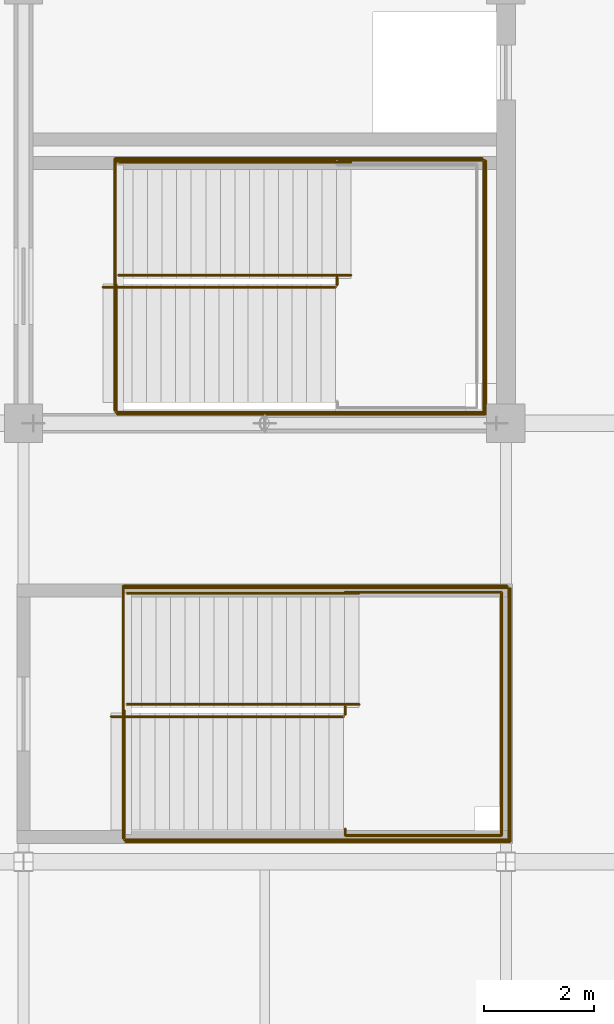
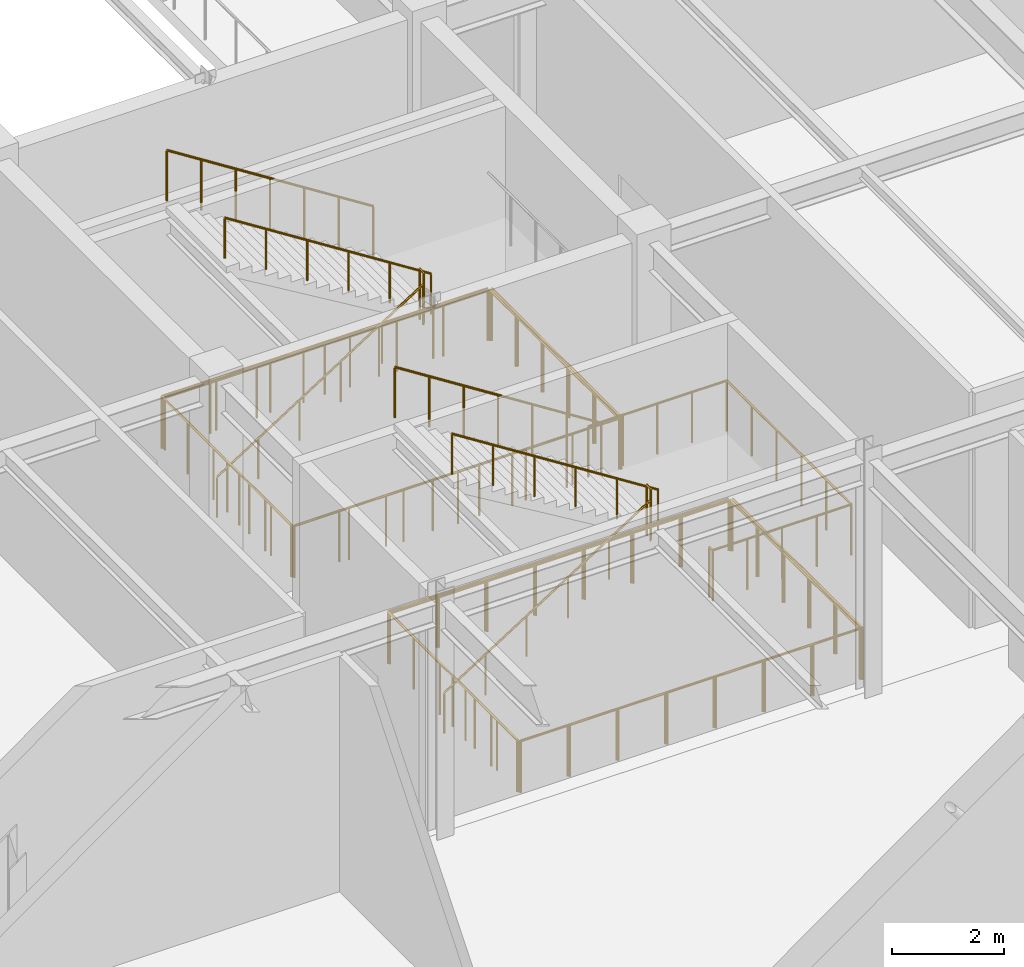
# One storey, part 177 of 184: 15 railings.
"""IFC4 building model written with IfcOpenShell, lengths in metres."""

from ifc_helpers import new_model, si_unit, direction, frame, origin, origin_2d, place, context, subcontext, project, spatial, circle, extrude, material, type_object, element, save


model = new_model("IFC4")

# Units and contexts
model_context = context("Model", 3, precision=1e-05, world=origin(), true_north=direction((0.0, 1.0)))
body_context = subcontext(model_context, "Body", "Model", "MODEL_VIEW")
ifc_project = project(units=[si_unit("LENGTHUNIT", "METRE"), si_unit("AREAUNIT", "SQUARE_METRE"), si_unit("VOLUMEUNIT", "CUBIC_METRE"), si_unit("PLANEANGLEUNIT", "RADIAN"), si_unit("MASSUNIT", "GRAM", prefix="KILO")], contexts=[model_context])

# Site, building, storey
site_placement = place(None, origin())
site = spatial("IfcSite", under=ifc_project, at=site_placement, CompositionType="ELEMENT")
building_placement = place(site_placement, origin())
building = spatial("IfcBuilding", under=site, at=building_placement, Name="Zhaolan Boulevard Law Courts", CompositionType="ELEMENT")
storey_placement = place(building_placement, frame((0.0, 0.0, 5.39990234375)))
storey = spatial("IfcBuildingStorey", under=building, at=storey_placement, Name="L01", CompositionType="ELEMENT", Elevation=5.39990234375)

# Railings
ifc_material_1 = material(Name="Powder-coated steel and tempered laminated glass", Category="steel")
railing_type_1 = type_object("IfcRailingType", Name="INTERIOR GUARDRAIL 1150", PredefinedType="GUARDRAIL", material=ifc_material_1)
railing_1_placement = place(storey_placement, frame((19.31005859375, 86.169921875, 0.0)))
element("IfcRailing", 1, at=railing_1_placement, inside=storey, type_object=railing_type_1, Name="Atrium Gallery Guardrail VG-1-V3-2A", PredefinedType="GUARDRAIL", context=body_context, shape_type="SweptSolid", body=[
    extrude(circle(Radius=0.02490234375, at=origin_2d()), frame((0.0, 0.0, 1.125), z_axis=(1.0, 0.0, 0.0), x_axis=(0.0, 1.0, 0.0)), (0.0, 0.0, 1.0), 6.719970703125),
    extrude(circle(Radius=0.02490234375, at=origin_2d()), frame((6.719970703125, 0.0, 1.125), z_axis=(0.0, 1.0, 0.0), x_axis=(-1.0, 0.0, 0.0)), (0.0, 0.0, 1.0), 4.6201171875),
    extrude(circle(Radius=0.02099609375, at=origin_2d()), origin(), (0.0, 0.0, 1.0), 1.099853515625),
    extrude(circle(Radius=0.02099609375, at=origin_2d()), frame((1.1201171875, 0.0, 0.0)), (0.0, 0.0, 1.0), 1.099853515625),
    extrude(circle(Radius=0.02099609375, at=origin_2d()), frame((2.239990234375, 0.0, 0.0)), (0.0, 0.0, 1.0), 1.099853515625),
    extrude(circle(Radius=0.02099609375, at=origin_2d()), frame((3.35986328125, 0.0, 0.0)), (0.0, 0.0, 1.0), 1.099853515625),
    extrude(circle(Radius=0.02099609375, at=origin_2d()), frame((4.47998046875, 0.0, 0.0)), (0.0, 0.0, 1.0), 1.099853515625),
    extrude(circle(Radius=0.02099609375, at=origin_2d()), frame((5.60009765625, 0.0, 0.0)), (0.0, 0.0, 1.0), 1.099853515625),
    extrude(circle(Radius=0.02099609375, at=origin_2d()), frame((6.719970703125, 0.0, 0.0)), (0.0, 0.0, 1.0), 1.099853515625),
    extrude(circle(Radius=0.02099609375, at=origin_2d()), frame((6.719970703125, 0.924072265625, 0.0)), (0.0, 0.0, 1.0), 1.099853515625),
    extrude(circle(Radius=0.02099609375, at=origin_2d()), frame((6.719970703125, 1.84814453125, 0.0)), (0.0, 0.0, 1.0), 1.099853515625),
    extrude(circle(Radius=0.02099609375, at=origin_2d()), frame((6.719970703125, 2.77197265625, 0.0)), (0.0, 0.0, 1.0), 1.099853515625),
    extrude(circle(Radius=0.02099609375, at=origin_2d()), frame((6.719970703125, 3.696044921875, 0.0)), (0.0, 0.0, 1.0), 1.099853515625),
    extrude(circle(Radius=0.02099609375, at=origin_2d()), frame((6.719970703125, 4.6201171875, 0.0)), (0.0, 0.0, 1.0), 1.099853515625),
])
railing_2_placement = place(storey_placement, frame((25.969970703125, 90.830078125, 0.0)))
element("IfcRailing", 2, at=railing_2_placement, inside=storey, type_object=railing_type_1, Name="Atrium Gallery Guardrail VG-1-V3-2B", PredefinedType="GUARDRAIL", context=body_context, shape_type="SweptSolid", body=[
    extrude(circle(Radius=0.02490234375, at=origin_2d()), frame((0.0, 0.0, 1.125), z_axis=(-1.0, 0.0, 0.0), x_axis=(0.0, -1.0, 0.0)), (0.0, 0.0, 1.0), 6.699951171875),
    extrude(circle(Radius=0.02490234375, at=origin_2d()), frame((-6.699951171875, 0.0, 1.125), z_axis=(0.0, -1.0, 0.0), x_axis=(1.0, 0.0, 0.0)), (0.0, 0.0, 1.0), 4.60009765625),
    extrude(circle(Radius=0.02099609375, at=origin_2d()), origin(), (0.0, 0.0, 1.0), 1.099853515625),
    extrude(circle(Radius=0.02099609375, at=origin_2d()), frame((-1.11669921875, 0.0, 0.0)), (0.0, 0.0, 1.0), 1.099853515625),
    extrude(circle(Radius=0.02099609375, at=origin_2d()), frame((-2.2333984375, 0.0, 0.0)), (0.0, 0.0, 1.0), 1.099853515625),
    extrude(circle(Radius=0.02099609375, at=origin_2d()), frame((-3.35009765625, 0.0, 0.0)), (0.0, 0.0, 1.0), 1.099853515625),
    extrude(circle(Radius=0.02099609375, at=origin_2d()), frame((-4.466552734375, 0.0, 0.0)), (0.0, 0.0, 1.0), 1.099853515625),
    extrude(circle(Radius=0.02099609375, at=origin_2d()), frame((-5.583251953125, 0.0, 0.0)), (0.0, 0.0, 1.0), 1.099853515625),
    extrude(circle(Radius=0.02099609375, at=origin_2d()), frame((-6.699951171875, 0.0, 0.0)), (0.0, 0.0, 1.0), 1.099853515625),
    extrude(circle(Radius=0.02099609375, at=origin_2d()), frame((-6.699951171875, -0.919921875, 0.0)), (0.0, 0.0, 1.0), 1.099853515625),
    extrude(circle(Radius=0.02099609375, at=origin_2d()), frame((-6.699951171875, -1.840087890625, 0.0)), (0.0, 0.0, 1.0), 1.099853515625),
    extrude(circle(Radius=0.02099609375, at=origin_2d()), frame((-6.699951171875, -2.760009765625, 0.0)), (0.0, 0.0, 1.0), 1.099853515625),
    extrude(circle(Radius=0.02099609375, at=origin_2d()), frame((-6.699951171875, -3.68017578125, 0.0)), (0.0, 0.0, 1.0), 1.099853515625),
    extrude(circle(Radius=0.02099609375, at=origin_2d()), frame((-6.699951171875, -4.60009765625, 0.0)), (0.0, 0.0, 1.0), 1.099853515625),
])
railing_3_placement = place(storey_placement, frame((19.4599609375, 78.3701171875, 0.0)))
element("IfcRailing", 3, at=railing_3_placement, inside=storey, type_object=railing_type_1, Name="Atrium Gallery Guardrail VG-1-V3-3A", PredefinedType="GUARDRAIL", context=body_context, shape_type="SweptSolid", body=[
    extrude(circle(Radius=0.02490234375, at=origin_2d()), frame((0.0, 0.0, 1.125), z_axis=(1.0, 0.0, 0.0), x_axis=(0.0, 1.0, 0.0)), (0.0, 0.0, 1.0), 7.02001953125),
    extrude(circle(Radius=0.02490234375, at=origin_2d()), frame((7.02001953125, 0.0, 1.125), z_axis=(0.0, 1.0, 0.0), x_axis=(-1.0, 0.0, 0.0)), (0.0, 0.0, 1.0), 4.619873046875),
    extrude(circle(Radius=0.02099609375, at=origin_2d()), origin(), (0.0, 0.0, 1.0), 1.099853515625),
    extrude(circle(Radius=0.02099609375, at=origin_2d()), frame((1.0029296875, 0.0, 0.0)), (0.0, 0.0, 1.0), 1.099853515625),
    extrude(circle(Radius=0.02099609375, at=origin_2d()), frame((2.005615234375, 0.0, 0.0)), (0.0, 0.0, 1.0), 1.099853515625),
    extrude(circle(Radius=0.02099609375, at=origin_2d()), frame((3.008544921875, 0.0, 0.0)), (0.0, 0.0, 1.0), 1.099853515625),
    extrude(circle(Radius=0.02099609375, at=origin_2d()), frame((4.011474609375, 0.0, 0.0)), (0.0, 0.0, 1.0), 1.099853515625),
    extrude(circle(Radius=0.02099609375, at=origin_2d()), frame((5.014404296875, 0.0, 0.0)), (0.0, 0.0, 1.0), 1.099853515625),
    extrude(circle(Radius=0.02099609375, at=origin_2d()), frame((6.01708984375, 0.0, 0.0)), (0.0, 0.0, 1.0), 1.099853515625),
    extrude(circle(Radius=0.02099609375, at=origin_2d()), frame((7.02001953125, 0.0, 0.0)), (0.0, 0.0, 1.0), 1.099853515625),
    extrude(circle(Radius=0.02099609375, at=origin_2d()), frame((7.02001953125, 0.924072265625, 0.0)), (0.0, 0.0, 1.0), 1.099853515625),
    extrude(circle(Radius=0.02099609375, at=origin_2d()), frame((7.02001953125, 1.847900390625, 0.0)), (0.0, 0.0, 1.0), 1.099853515625),
    extrude(circle(Radius=0.02099609375, at=origin_2d()), frame((7.02001953125, 2.77197265625, 0.0)), (0.0, 0.0, 1.0), 1.099853515625),
    extrude(circle(Radius=0.02099609375, at=origin_2d()), frame((7.02001953125, 3.69580078125, 0.0)), (0.0, 0.0, 1.0), 1.099853515625),
    extrude(circle(Radius=0.02099609375, at=origin_2d()), frame((7.02001953125, 4.619873046875, 0.0)), (0.0, 0.0, 1.0), 1.099853515625),
])
railing_4_placement = place(storey_placement, frame((26.419921875, 83.030029296875, 0.0)))
element("IfcRailing", 4, at=railing_4_placement, inside=storey, type_object=railing_type_1, Name="Atrium Gallery Guardrail VG-1-V3-3B", PredefinedType="GUARDRAIL", context=body_context, shape_type="SweptSolid", body=[
    extrude(circle(Radius=0.02490234375, at=origin_2d()), frame((0.0, 0.0, 1.125), z_axis=(-1.0, 0.0, 0.0), x_axis=(0.0, -1.0, 0.0)), (0.0, 0.0, 1.0), 7.0),
    extrude(circle(Radius=0.02490234375, at=origin_2d()), frame((-7.0, 0.0, 1.125), z_axis=(0.0, -1.0, 0.0), x_axis=(1.0, 0.0, 0.0)), (0.0, 0.0, 1.0), 4.60009765625),
    extrude(circle(Radius=0.02099609375, at=origin_2d()), origin(), (0.0, 0.0, 1.0), 1.099853515625),
    extrude(circle(Radius=0.02099609375, at=origin_2d()), frame((-1.0, 0.0, 0.0)), (0.0, 0.0, 1.0), 1.099853515625),
    extrude(circle(Radius=0.02099609375, at=origin_2d()), frame((-2.0, 0.0, 0.0)), (0.0, 0.0, 1.0), 1.099853515625),
    extrude(circle(Radius=0.02099609375, at=origin_2d()), frame((-3.0, 0.0, 0.0)), (0.0, 0.0, 1.0), 1.099853515625),
    extrude(circle(Radius=0.02099609375, at=origin_2d()), frame((-4.0, 0.0, 0.0)), (0.0, 0.0, 1.0), 1.099853515625),
    extrude(circle(Radius=0.02099609375, at=origin_2d()), frame((-5.0, 0.0, 0.0)), (0.0, 0.0, 1.0), 1.099853515625),
    extrude(circle(Radius=0.02099609375, at=origin_2d()), frame((-6.0, 0.0, 0.0)), (0.0, 0.0, 1.0), 1.099853515625),
    extrude(circle(Radius=0.02099609375, at=origin_2d()), frame((-7.0, 0.0, 0.0)), (0.0, 0.0, 1.0), 1.099853515625),
    extrude(circle(Radius=0.02099609375, at=origin_2d()), frame((-7.0, -0.919921875, 0.0)), (0.0, 0.0, 1.0), 1.099853515625),
    extrude(circle(Radius=0.02099609375, at=origin_2d()), frame((-7.0, -1.840087890625, 0.0)), (0.0, 0.0, 1.0), 1.099853515625),
    extrude(circle(Radius=0.02099609375, at=origin_2d()), frame((-7.0, -2.760009765625, 0.0)), (0.0, 0.0, 1.0), 1.099853515625),
    extrude(circle(Radius=0.02099609375, at=origin_2d()), frame((-7.0, -3.68017578125, 0.0)), (0.0, 0.0, 1.0), 1.099853515625),
    extrude(circle(Radius=0.02099609375, at=origin_2d()), frame((-7.0, -4.60009765625, 0.0)), (0.0, 0.0, 1.0), 1.099853515625),
])
ifc_material_2 = material(Name="Brushed stainless steel tubular handrail", Category="steel")
railing_type_2 = type_object("IfcRailingType", Name="STAIR HANDRAIL 900", PredefinedType="HANDRAIL", material=ifc_material_2)
railing_5_placement = place(storey_placement, frame((19.050048828125, 88.47998046875, 0.0)))
element("IfcRailing", 5, at=railing_5_placement, inside=storey, type_object=railing_type_2, Name="Stair Handrail HR-ST10-L01-1", PredefinedType="HANDRAIL", context=body_context, shape_type="SweptSolid", body=[
    extrude(circle(Radius=0.0224609375, at=origin_2d()), frame((0.0, 0.0, 0.87744140625), z_axis=(0.843479452326, 0.0, 0.53716144082), x_axis=(0.0, 1.0, 0.0)), (0.0, 0.0, 1.0), 5.02685546875),
    extrude(circle(Radius=0.01904296875, at=origin_2d()), origin(), (0.0, 0.0, 1.0), 0.85498046875),
    extrude(circle(Radius=0.01904296875, at=origin_2d()), frame((0.847900390625, 0.0, 0.5400390625)), (0.0, 0.0, 1.0), 0.85498046875),
    extrude(circle(Radius=0.01904296875, at=origin_2d()), frame((1.696044921875, 0.0, 1.080078125)), (0.0, 0.0, 1.0), 0.85498046875),
    extrude(circle(Radius=0.01904296875, at=origin_2d()), frame((2.5439453125, 0.0, 1.6201171875)), (0.0, 0.0, 1.0), 0.85498046875),
    extrude(circle(Radius=0.01904296875, at=origin_2d()), frame((3.39208984375, 0.0, 2.16015625)), (0.0, 0.0, 1.0), 0.85498046875),
    extrude(circle(Radius=0.01904296875, at=origin_2d()), frame((4.239990234375, 0.0, 2.7001953125)), (0.0, 0.0, 1.0), 0.85498046875),
])
railing_6_placement = place(storey_placement, frame((23.574951171875, 88.699951171875, 2.7001953125)))
element("IfcRailing", 6, at=railing_6_placement, inside=storey, type_object=railing_type_2, Name="Stair Handrail HR-ST10-L01-2", PredefinedType="HANDRAIL", context=body_context, shape_type="SweptSolid", body=[
    extrude(circle(Radius=0.0224609375, at=origin_2d()), frame((0.0, 0.0, 0.87744140625), z_axis=(-0.843501457581, 0.0, 0.537126885437), x_axis=(0.0, -1.0, 0.0)), (0.0, 0.0, 1.0), 5.026611328125),
    extrude(circle(Radius=0.01904296875, at=origin_2d()), origin(), (0.0, 0.0, 1.0), 0.85498046875),
    extrude(circle(Radius=0.01904296875, at=origin_2d()), frame((-0.847900390625, 0.0, 0.5400390625)), (0.0, 0.0, 1.0), 0.85498046875),
    extrude(circle(Radius=0.01904296875, at=origin_2d()), frame((-1.696044921875, 0.0, 1.080078125)), (0.0, 0.0, 1.0), 0.85498046875),
    extrude(circle(Radius=0.01904296875, at=origin_2d()), frame((-2.5439453125, 0.0, 1.619873046875)), (0.0, 0.0, 1.0), 0.85498046875),
    extrude(circle(Radius=0.01904296875, at=origin_2d()), frame((-3.39208984375, 0.0, 2.159912109375)), (0.0, 0.0, 1.0), 0.85498046875),
    extrude(circle(Radius=0.01904296875, at=origin_2d()), frame((-4.239990234375, 0.0, 2.699951171875)), (0.0, 0.0, 1.0), 0.85498046875),
])
railing_7_placement = place(storey_placement, frame((19.199951171875, 80.64990234375, 0.0)))
element("IfcRailing", 7, at=railing_7_placement, inside=storey, type_object=railing_type_2, Name="Stair Handrail HR-ST12-L01-1", PredefinedType="HANDRAIL", context=body_context, shape_type="SweptSolid", body=[
    extrude(circle(Radius=0.0224609375, at=origin_2d()), frame((0.0, 0.0, 0.87744140625), z_axis=(0.843479452326, 0.0, 0.53716144082), x_axis=(0.0, 1.0, 0.0)), (0.0, 0.0, 1.0), 5.02685546875),
    extrude(circle(Radius=0.01904296875, at=origin_2d()), origin(), (0.0, 0.0, 1.0), 0.85498046875),
    extrude(circle(Radius=0.01904296875, at=origin_2d()), frame((0.847900390625, 0.0, 0.5400390625)), (0.0, 0.0, 1.0), 0.85498046875),
    extrude(circle(Radius=0.01904296875, at=origin_2d()), frame((1.696044921875, 0.0, 1.080078125)), (0.0, 0.0, 1.0), 0.85498046875),
    extrude(circle(Radius=0.01904296875, at=origin_2d()), frame((2.5439453125, 0.0, 1.6201171875)), (0.0, 0.0, 1.0), 0.85498046875),
    extrude(circle(Radius=0.01904296875, at=origin_2d()), frame((3.39208984375, 0.0, 2.16015625)), (0.0, 0.0, 1.0), 0.85498046875),
    extrude(circle(Radius=0.01904296875, at=origin_2d()), frame((4.239990234375, 0.0, 2.7001953125)), (0.0, 0.0, 1.0), 0.85498046875),
])
railing_8_placement = place(storey_placement, frame((23.72509765625, 80.8701171875, 2.7001953125)))
element("IfcRailing", 8, at=railing_8_placement, inside=storey, type_object=railing_type_2, Name="Stair Handrail HR-ST12-L01-2", PredefinedType="HANDRAIL", context=body_context, shape_type="SweptSolid", body=[
    extrude(circle(Radius=0.0224609375, at=origin_2d()), frame((0.0, 0.0, 0.87744140625), z_axis=(-0.843501457581, 0.0, 0.537126885437), x_axis=(0.0, -1.0, 0.0)), (0.0, 0.0, 1.0), 5.026611328125),
    extrude(circle(Radius=0.01904296875, at=origin_2d()), origin(), (0.0, 0.0, 1.0), 0.85498046875),
    extrude(circle(Radius=0.01904296875, at=origin_2d()), frame((-0.847900390625, 0.0, 0.5400390625)), (0.0, 0.0, 1.0), 0.85498046875),
    extrude(circle(Radius=0.01904296875, at=origin_2d()), frame((-1.696044921875, 0.0, 1.080078125)), (0.0, 0.0, 1.0), 0.85498046875),
    extrude(circle(Radius=0.01904296875, at=origin_2d()), frame((-2.5439453125, 0.0, 1.619873046875)), (0.0, 0.0, 1.0), 0.85498046875),
    extrude(circle(Radius=0.01904296875, at=origin_2d()), frame((-3.39208984375, 0.0, 2.159912109375)), (0.0, 0.0, 1.0), 0.85498046875),
    extrude(circle(Radius=0.01904296875, at=origin_2d()), frame((-4.239990234375, 0.0, 2.699951171875)), (0.0, 0.0, 1.0), 0.85498046875),
])
ifc_material_3 = material(Name="Powder-coated steel baluster guardrail", Category="steel")
railing_type_3 = type_object("IfcRailingType", Name="STAIR WELL GUARDRAIL 1120", PredefinedType="GUARDRAIL", material=ifc_material_3)
railing_9_placement = place(storey_placement, frame((19.2900390625, 88.530029296875, 0.0)))
element("IfcRailing", 9, at=railing_9_placement, inside=storey, type_object=railing_type_3, Name="Stair-Well Floor Guardrail WG-ST10-L00", PredefinedType="GUARDRAIL", context=body_context, shape_type="SweptSolid", body=[
    extrude(circle(Radius=0.02392578125, at=origin_2d()), frame((0.0, 0.0, 1.09619140625), z_axis=(0.0, -1.0, 0.0), x_axis=(1.0, 0.0, 0.0)), (0.0, 0.0, 1.0), 2.330078125),
    extrude(circle(Radius=0.02392578125, at=origin_2d()), frame((0.0, -2.330078125, 1.09619140625), z_axis=(1.0, 0.0, 0.0), x_axis=(0.0, 1.0, 0.0)), (0.0, 0.0, 1.0), 6.7099609375),
    extrude(circle(Radius=0.02392578125, at=origin_2d()), frame((6.7099609375, -2.330078125, 1.09619140625), z_axis=(0.0, 1.0, 0.0), x_axis=(-1.0, 0.0, 0.0)), (0.0, 0.0, 1.0), 4.60009765625),
    extrude(circle(Radius=0.02392578125, at=origin_2d()), frame((6.7099609375, 2.27001953125, 1.09619140625), z_axis=(-1.0, 0.0, 0.0), x_axis=(0.0, -1.0, 0.0)), (0.0, 0.0, 1.0), 6.7099609375),
    extrude(circle(Radius=0.02392578125, at=origin_2d()), frame((0.0, 2.27001953125, 1.09619140625), z_axis=(0.0, -1.0, 0.0), x_axis=(1.0, 0.0, 0.0)), (0.0, 0.0, 1.0), 0.0400390625),
    extrude(circle(Radius=0.02099609375, at=origin_2d()), origin(), (0.0, 0.0, 1.0), 1.072021484375),
    extrude(circle(Radius=0.02099609375, at=origin_2d()), frame((0.0, -0.776611328125, 0.0)), (0.0, 0.0, 1.0), 1.072021484375),
    extrude(circle(Radius=0.02099609375, at=origin_2d()), frame((0.0, -1.553466796875, 0.0)), (0.0, 0.0, 1.0), 1.072021484375),
    extrude(circle(Radius=0.02099609375, at=origin_2d()), frame((0.0, -2.330078125, 0.0)), (0.0, 0.0, 1.0), 1.072021484375),
    extrude(circle(Radius=0.02099609375, at=origin_2d()), frame((0.95849609375, -2.330078125, 0.0)), (0.0, 0.0, 1.0), 1.072021484375),
    extrude(circle(Radius=0.02099609375, at=origin_2d()), frame((1.917236328125, -2.330078125, 0.0)), (0.0, 0.0, 1.0), 1.072021484375),
    extrude(circle(Radius=0.02099609375, at=origin_2d()), frame((2.875732421875, -2.330078125, 0.0)), (0.0, 0.0, 1.0), 1.072021484375),
    extrude(circle(Radius=0.02099609375, at=origin_2d()), frame((3.834228515625, -2.330078125, 0.0)), (0.0, 0.0, 1.0), 1.072021484375),
    extrude(circle(Radius=0.02099609375, at=origin_2d()), frame((4.792724609375, -2.330078125, 0.0)), (0.0, 0.0, 1.0), 1.072021484375),
    extrude(circle(Radius=0.02099609375, at=origin_2d()), frame((5.75146484375, -2.330078125, 0.0)), (0.0, 0.0, 1.0), 1.072021484375),
    extrude(circle(Radius=0.02099609375, at=origin_2d()), frame((6.7099609375, -2.330078125, 0.0)), (0.0, 0.0, 1.0), 1.072021484375),
    extrude(circle(Radius=0.02099609375, at=origin_2d()), frame((6.7099609375, -1.41015625, 0.0)), (0.0, 0.0, 1.0), 1.072021484375),
    extrude(circle(Radius=0.02099609375, at=origin_2d()), frame((6.7099609375, -0.489990234375, 0.0)), (0.0, 0.0, 1.0), 1.072021484375),
    extrude(circle(Radius=0.02099609375, at=origin_2d()), frame((6.7099609375, 0.429931640625, 0.0)), (0.0, 0.0, 1.0), 1.072021484375),
    extrude(circle(Radius=0.02099609375, at=origin_2d()), frame((6.7099609375, 1.35009765625, 0.0)), (0.0, 0.0, 1.0), 1.072021484375),
    extrude(circle(Radius=0.02099609375, at=origin_2d()), frame((6.7099609375, 2.27001953125, 0.0)), (0.0, 0.0, 1.0), 1.072021484375),
    extrude(circle(Radius=0.02099609375, at=origin_2d()), frame((5.75146484375, 2.27001953125, 0.0)), (0.0, 0.0, 1.0), 1.072021484375),
    extrude(circle(Radius=0.02099609375, at=origin_2d()), frame((4.792724609375, 2.27001953125, 0.0)), (0.0, 0.0, 1.0), 1.072021484375),
    extrude(circle(Radius=0.02099609375, at=origin_2d()), frame((3.834228515625, 2.27001953125, 0.0)), (0.0, 0.0, 1.0), 1.072021484375),
    extrude(circle(Radius=0.02099609375, at=origin_2d()), frame((2.875732421875, 2.27001953125, 0.0)), (0.0, 0.0, 1.0), 1.072021484375),
    extrude(circle(Radius=0.02099609375, at=origin_2d()), frame((1.917236328125, 2.27001953125, 0.0)), (0.0, 0.0, 1.0), 1.072021484375),
    extrude(circle(Radius=0.02099609375, at=origin_2d()), frame((0.95849609375, 2.27001953125, 0.0)), (0.0, 0.0, 1.0), 1.072021484375),
    extrude(circle(Radius=0.02099609375, at=origin_2d()), frame((0.0, 2.27001953125, 0.0)), (0.0, 0.0, 1.0), 1.072021484375),
    extrude(circle(Radius=0.02099609375, at=origin_2d()), frame((0.0, 2.22998046875, 0.0)), (0.0, 0.0, 1.0), 1.072021484375),
])
railing_10_placement = place(storey_placement, frame((23.320068359375, 88.52001953125, 2.7001953125)))
element("IfcRailing", 10, at=railing_10_placement, inside=storey, type_object=railing_type_3, Name="Half-Landing Well Guardrail SG-ST10-L01-W", PredefinedType="GUARDRAIL", context=body_context, shape_type="SweptSolid", body=[
    extrude(circle(Radius=0.02392578125, at=origin_2d()), frame((0.0, 0.0, 1.09619140625), z_axis=(0.0, 1.0, 0.0), x_axis=(-1.0, 0.0, 0.0)), (0.0, 0.0, 1.0), 0.139892578125),
    extrude(circle(Radius=0.02099609375, at=origin_2d()), origin(), (0.0, 0.0, 1.0), 1.072021484375),
    extrude(circle(Radius=0.02099609375, at=origin_2d()), frame((0.0, 0.139892578125, 0.0)), (0.0, 0.0, 1.0), 1.072021484375),
])
railing_11_placement = place(storey_placement, frame((23.574951171875, 90.760009765625, 2.7001953125)))
element("IfcRailing", 11, at=railing_11_placement, inside=storey, type_object=railing_type_3, Name="Flight Guardrail SG-ST10-L01-F2", PredefinedType="GUARDRAIL", context=body_context, shape_type="SweptSolid", body=[
    extrude(circle(Radius=0.02392578125, at=origin_2d()), frame((0.0, 0.0, 1.09619140625), z_axis=(-0.843501457581, 0.0, 0.537126885437), x_axis=(0.0, -1.0, 0.0)), (0.0, 0.0, 1.0), 5.026611328125),
    extrude(circle(Radius=0.02099609375, at=origin_2d()), origin(), (0.0, 0.0, 1.0), 1.072021484375),
    extrude(circle(Radius=0.02099609375, at=origin_2d()), frame((-0.70654296875, 0.0, 0.449951171875)), (0.0, 0.0, 1.0), 1.072021484375),
    extrude(circle(Radius=0.02099609375, at=origin_2d()), frame((-1.413330078125, 0.0, 0.89990234375)), (0.0, 0.0, 1.0), 1.072021484375),
    extrude(circle(Radius=0.02099609375, at=origin_2d()), frame((-2.1201171875, 0.0, 1.35009765625)), (0.0, 0.0, 1.0), 1.072021484375),
    extrude(circle(Radius=0.02099609375, at=origin_2d()), frame((-2.82666015625, 0.0, 1.800048828125)), (0.0, 0.0, 1.0), 1.072021484375),
    extrude(circle(Radius=0.02099609375, at=origin_2d()), frame((-3.533203125, 0.0, 2.25)), (0.0, 0.0, 1.0), 1.072021484375),
    extrude(circle(Radius=0.02099609375, at=origin_2d()), frame((-4.239990234375, 0.0, 2.699951171875)), (0.0, 0.0, 1.0), 1.072021484375),
])
railing_12_placement = place(storey_placement, frame((19.43994140625, 80.760009765625, 0.0)))
element("IfcRailing", 12, at=railing_12_placement, inside=storey, type_object=railing_type_3, Name="Stair-Well Floor Guardrail WG-ST12-L00", PredefinedType="GUARDRAIL", context=body_context, shape_type="SweptSolid", body=[
    extrude(circle(Radius=0.02392578125, at=origin_2d()), frame((0.0, 0.0, 1.09619140625), z_axis=(0.0, -1.0, 0.0), x_axis=(1.0, 0.0, 0.0)), (0.0, 0.0, 1.0), 2.360107421875),
    extrude(circle(Radius=0.02392578125, at=origin_2d()), frame((0.0, -2.360107421875, 1.09619140625), z_axis=(1.0, 0.0, 0.0), x_axis=(0.0, 1.0, 0.0)), (0.0, 0.0, 1.0), 7.010009765625),
    extrude(circle(Radius=0.02392578125, at=origin_2d()), frame((7.010009765625, -2.360107421875, 1.09619140625), z_axis=(0.0, 1.0, 0.0), x_axis=(-1.0, 0.0, 0.0)), (0.0, 0.0, 1.0), 4.60009765625),
    extrude(circle(Radius=0.02392578125, at=origin_2d()), frame((7.010009765625, 2.239990234375, 1.09619140625), z_axis=(-1.0, 0.0, 0.0), x_axis=(0.0, -1.0, 0.0)), (0.0, 0.0, 1.0), 7.010009765625),
    extrude(circle(Radius=0.02392578125, at=origin_2d()), frame((0.0, 2.239990234375, 1.09619140625), z_axis=(0.0, 1.0, 0.0), x_axis=(-1.0, 0.0, 0.0)), (0.0, 0.0, 1.0), 0.02001953125),
    extrude(circle(Radius=0.02099609375, at=origin_2d()), origin(), (0.0, 0.0, 1.0), 1.072021484375),
    extrude(circle(Radius=0.02099609375, at=origin_2d()), frame((0.0, -0.78662109375, 0.0)), (0.0, 0.0, 1.0), 1.072021484375),
    extrude(circle(Radius=0.02099609375, at=origin_2d()), frame((0.0, -1.573486328125, 0.0)), (0.0, 0.0, 1.0), 1.072021484375),
    extrude(circle(Radius=0.02099609375, at=origin_2d()), frame((0.0, -2.360107421875, 0.0)), (0.0, 0.0, 1.0), 1.072021484375),
    extrude(circle(Radius=0.02099609375, at=origin_2d()), frame((1.00146484375, -2.360107421875, 0.0)), (0.0, 0.0, 1.0), 1.072021484375),
    extrude(circle(Radius=0.02099609375, at=origin_2d()), frame((2.0029296875, -2.360107421875, 0.0)), (0.0, 0.0, 1.0), 1.072021484375),
    extrude(circle(Radius=0.02099609375, at=origin_2d()), frame((3.00439453125, -2.360107421875, 0.0)), (0.0, 0.0, 1.0), 1.072021484375),
    extrude(circle(Radius=0.02099609375, at=origin_2d()), frame((4.005615234375, -2.360107421875, 0.0)), (0.0, 0.0, 1.0), 1.072021484375),
    extrude(circle(Radius=0.02099609375, at=origin_2d()), frame((5.007080078125, -2.360107421875, 0.0)), (0.0, 0.0, 1.0), 1.072021484375),
    extrude(circle(Radius=0.02099609375, at=origin_2d()), frame((6.008544921875, -2.360107421875, 0.0)), (0.0, 0.0, 1.0), 1.072021484375),
    extrude(circle(Radius=0.02099609375, at=origin_2d()), frame((7.010009765625, -2.360107421875, 0.0)), (0.0, 0.0, 1.0), 1.072021484375),
    extrude(circle(Radius=0.02099609375, at=origin_2d()), frame((7.010009765625, -1.440185546875, 0.0)), (0.0, 0.0, 1.0), 1.072021484375),
    extrude(circle(Radius=0.02099609375, at=origin_2d()), frame((7.010009765625, -0.52001953125, 0.0)), (0.0, 0.0, 1.0), 1.072021484375),
    extrude(circle(Radius=0.02099609375, at=origin_2d()), frame((7.010009765625, 0.39990234375, 0.0)), (0.0, 0.0, 1.0), 1.072021484375),
    extrude(circle(Radius=0.02099609375, at=origin_2d()), frame((7.010009765625, 1.320068359375, 0.0)), (0.0, 0.0, 1.0), 1.072021484375),
    extrude(circle(Radius=0.02099609375, at=origin_2d()), frame((7.010009765625, 2.239990234375, 0.0)), (0.0, 0.0, 1.0), 1.072021484375),
    extrude(circle(Radius=0.02099609375, at=origin_2d()), frame((6.008544921875, 2.239990234375, 0.0)), (0.0, 0.0, 1.0), 1.072021484375),
    extrude(circle(Radius=0.02099609375, at=origin_2d()), frame((5.007080078125, 2.239990234375, 0.0)), (0.0, 0.0, 1.0), 1.072021484375),
    extrude(circle(Radius=0.02099609375, at=origin_2d()), frame((4.005615234375, 2.239990234375, 0.0)), (0.0, 0.0, 1.0), 1.072021484375),
    extrude(circle(Radius=0.02099609375, at=origin_2d()), frame((3.00439453125, 2.239990234375, 0.0)), (0.0, 0.0, 1.0), 1.072021484375),
    extrude(circle(Radius=0.02099609375, at=origin_2d()), frame((2.0029296875, 2.239990234375, 0.0)), (0.0, 0.0, 1.0), 1.072021484375),
    extrude(circle(Radius=0.02099609375, at=origin_2d()), frame((1.00146484375, 2.239990234375, 0.0)), (0.0, 0.0, 1.0), 1.072021484375),
    extrude(circle(Radius=0.02099609375, at=origin_2d()), frame((0.0, 2.239990234375, 0.0)), (0.0, 0.0, 1.0), 1.072021484375),
    extrude(circle(Radius=0.02099609375, at=origin_2d()), frame((0.0, 2.260009765625, 0.0)), (0.0, 0.0, 1.0), 1.072021484375),
])
railing_13_placement = place(storey_placement, frame((23.469970703125, 78.60009765625, 2.7001953125)))
element("IfcRailing", 13, at=railing_13_placement, inside=storey, type_object=railing_type_3, Name="Half-Landing Guardrail SG-ST12-L01-M", PredefinedType="GUARDRAIL", context=body_context, shape_type="SweptSolid", body=[
    extrude(circle(Radius=0.02392578125, at=origin_2d()), frame((0.0, 0.0, 1.09619140625), z_axis=(0.0, -1.0, 0.0), x_axis=(1.0, 0.0, 0.0)), (0.0, 0.0, 1.0), 0.1201171875),
    extrude(circle(Radius=0.02392578125, at=origin_2d()), frame((0.0, -0.1201171875, 1.09619140625), z_axis=(1.0, 0.0, 0.0), x_axis=(0.0, 1.0, 0.0)), (0.0, 0.0, 1.0), 2.85009765625),
    extrude(circle(Radius=0.02392578125, at=origin_2d()), frame((2.85009765625, -0.1201171875, 1.09619140625), z_axis=(0.0, 1.0, 0.0), x_axis=(-1.0, 0.0, 0.0)), (0.0, 0.0, 1.0), 4.43994140625),
    extrude(circle(Radius=0.02392578125, at=origin_2d()), frame((2.85009765625, 4.31982421875, 1.09619140625), z_axis=(-1.0, 0.0, 0.0), x_axis=(0.0, -1.0, 0.0)), (0.0, 0.0, 1.0), 2.85009765625),
    extrude(circle(Radius=0.02099609375, at=origin_2d()), origin(), (0.0, 0.0, 1.0), 1.072021484375),
    extrude(circle(Radius=0.02099609375, at=origin_2d()), frame((0.0, -0.1201171875, 0.0)), (0.0, 0.0, 1.0), 1.072021484375),
    extrude(circle(Radius=0.02099609375, at=origin_2d()), frame((0.71240234375, -0.1201171875, 0.0)), (0.0, 0.0, 1.0), 1.072021484375),
    extrude(circle(Radius=0.02099609375, at=origin_2d()), frame((1.425048828125, -0.1201171875, 0.0)), (0.0, 0.0, 1.0), 1.072021484375),
    extrude(circle(Radius=0.02099609375, at=origin_2d()), frame((2.1376953125, -0.1201171875, 0.0)), (0.0, 0.0, 1.0), 1.072021484375),
    extrude(circle(Radius=0.02099609375, at=origin_2d()), frame((2.85009765625, -0.1201171875, 0.0)), (0.0, 0.0, 1.0), 1.072021484375),
    extrude(circle(Radius=0.02099609375, at=origin_2d()), frame((2.85009765625, 0.767822265625, 0.0)), (0.0, 0.0, 1.0), 1.072021484375),
    extrude(circle(Radius=0.02099609375, at=origin_2d()), frame((2.85009765625, 1.65576171875, 0.0)), (0.0, 0.0, 1.0), 1.072021484375),
    extrude(circle(Radius=0.02099609375, at=origin_2d()), frame((2.85009765625, 2.5439453125, 0.0)), (0.0, 0.0, 1.0), 1.072021484375),
    extrude(circle(Radius=0.02099609375, at=origin_2d()), frame((2.85009765625, 3.431884765625, 0.0)), (0.0, 0.0, 1.0), 1.072021484375),
    extrude(circle(Radius=0.02099609375, at=origin_2d()), frame((2.85009765625, 4.31982421875, 0.0)), (0.0, 0.0, 1.0), 1.072021484375),
    extrude(circle(Radius=0.02099609375, at=origin_2d()), frame((2.1376953125, 4.31982421875, 0.0)), (0.0, 0.0, 1.0), 1.072021484375),
    extrude(circle(Radius=0.02099609375, at=origin_2d()), frame((1.425048828125, 4.31982421875, 0.0)), (0.0, 0.0, 1.0), 1.072021484375),
    extrude(circle(Radius=0.02099609375, at=origin_2d()), frame((0.71240234375, 4.31982421875, 0.0)), (0.0, 0.0, 1.0), 1.072021484375),
    extrude(circle(Radius=0.02099609375, at=origin_2d()), frame((0.0, 4.31982421875, 0.0)), (0.0, 0.0, 1.0), 1.072021484375),
])
railing_14_placement = place(storey_placement, frame((23.469970703125, 80.68994140625, 2.7001953125)))
element("IfcRailing", 14, at=railing_14_placement, inside=storey, type_object=railing_type_3, Name="Half-Landing Well Guardrail SG-ST12-L01-W", PredefinedType="GUARDRAIL", context=body_context, shape_type="SweptSolid", body=[
    extrude(circle(Radius=0.02392578125, at=origin_2d()), frame((0.0, 0.0, 1.09619140625), z_axis=(0.0, 1.0, 0.0), x_axis=(-1.0, 0.0, 0.0)), (0.0, 0.0, 1.0), 0.14013671875),
    extrude(circle(Radius=0.02099609375, at=origin_2d()), origin(), (0.0, 0.0, 1.0), 1.072021484375),
    extrude(circle(Radius=0.02099609375, at=origin_2d()), frame((0.0, 0.14013671875, 0.0)), (0.0, 0.0, 1.0), 1.072021484375),
])
railing_15_placement = place(storey_placement, frame((23.72509765625, 82.89990234375, 2.7001953125)))
element("IfcRailing", 15, at=railing_15_placement, inside=storey, type_object=railing_type_3, Name="Flight Guardrail SG-ST12-L01-F2", PredefinedType="GUARDRAIL", context=body_context, shape_type="SweptSolid", body=[
    extrude(circle(Radius=0.02392578125, at=origin_2d()), frame((0.0, 0.0, 1.09619140625), z_axis=(-0.843501457581, 0.0, 0.537126885437), x_axis=(0.0, -1.0, 0.0)), (0.0, 0.0, 1.0), 5.026611328125),
    extrude(circle(Radius=0.02099609375, at=origin_2d()), origin(), (0.0, 0.0, 1.0), 1.072021484375),
    extrude(circle(Radius=0.02099609375, at=origin_2d()), frame((-0.70654296875, 0.0, 0.449951171875)), (0.0, 0.0, 1.0), 1.072021484375),
    extrude(circle(Radius=0.02099609375, at=origin_2d()), frame((-1.413330078125, 0.0, 0.89990234375)), (0.0, 0.0, 1.0), 1.072021484375),
    extrude(circle(Radius=0.02099609375, at=origin_2d()), frame((-2.1201171875, 0.0, 1.35009765625)), (0.0, 0.0, 1.0), 1.072021484375),
    extrude(circle(Radius=0.02099609375, at=origin_2d()), frame((-2.82666015625, 0.0, 1.800048828125)), (0.0, 0.0, 1.0), 1.072021484375),
    extrude(circle(Radius=0.02099609375, at=origin_2d()), frame((-3.533203125, 0.0, 2.25)), (0.0, 0.0, 1.0), 1.072021484375),
    extrude(circle(Radius=0.02099609375, at=origin_2d()), frame((-4.239990234375, 0.0, 2.699951171875)), (0.0, 0.0, 1.0), 1.072021484375),
])

save(model, "model.ifc")
